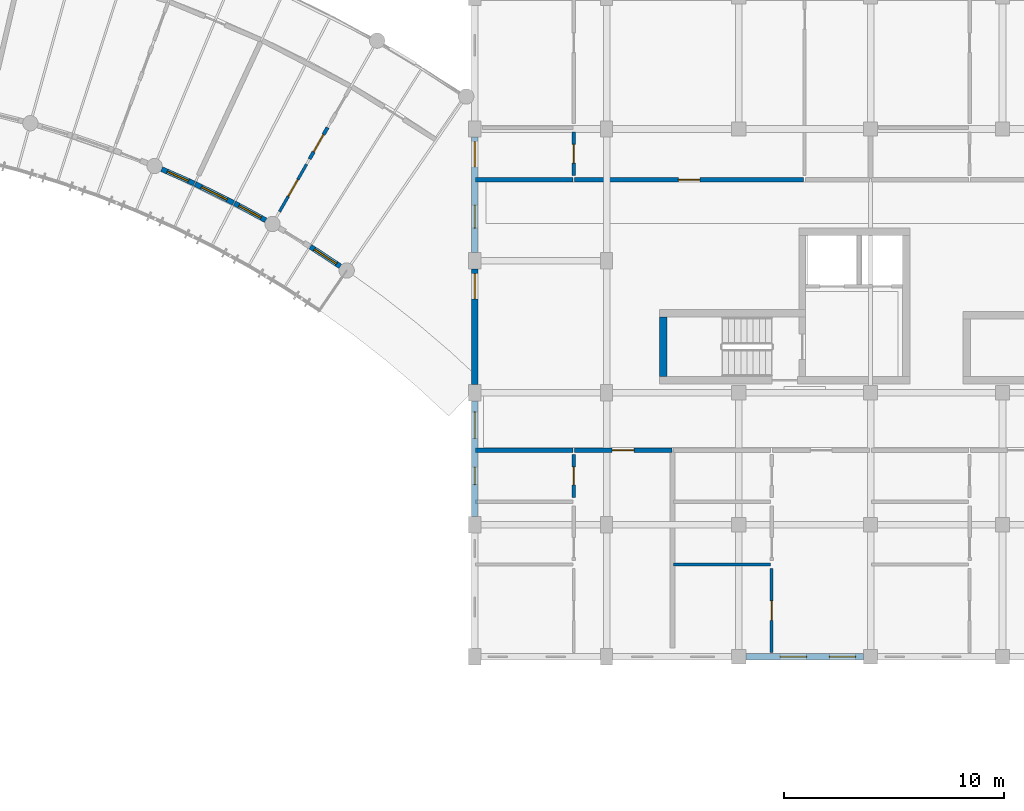
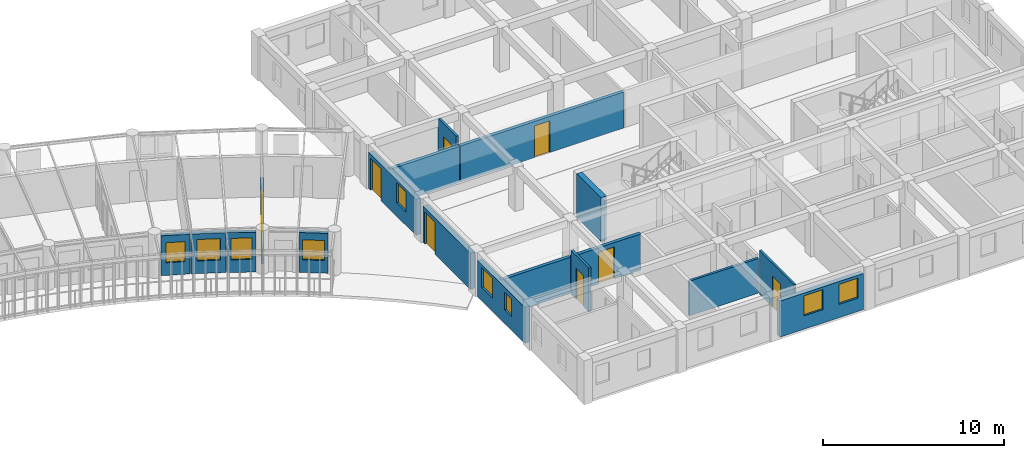
# One storey, part 97 of 123: 19 walls, 9 doors, 9 windows, 18 openings.
"""IFC4 building model written with IfcOpenShell, lengths in metres."""

from ifc_helpers import new_model, si_unit, direction, frame, frame_2d, origin, place, context, subcontext, project, spatial, rectangle, extrude, material, layer, layer_set, type_object, element, fill, save


model = new_model("IFC4")

# Units and contexts
model_context = context("Model", 3, precision=1e-05, world=origin(), true_north=direction((0.0, 1.0)))
body_context = subcontext(model_context, "Body", "Model", "MODEL_VIEW")
ifc_project = project(units=[si_unit("LENGTHUNIT", "METRE"), si_unit("AREAUNIT", "SQUARE_METRE"), si_unit("VOLUMEUNIT", "CUBIC_METRE"), si_unit("PLANEANGLEUNIT", "RADIAN"), si_unit("MASSUNIT", "GRAM", prefix="KILO"), si_unit("POWERUNIT", "WATT"), si_unit("THERMODYNAMICTEMPERATUREUNIT", "KELVIN")], contexts=[model_context])

# Site, building, storey
site_placement = place(None, origin())
site = spatial("IfcSite", under=ifc_project, at=site_placement, CompositionType="ELEMENT")
building_placement = place(site_placement, origin())
building = spatial("IfcBuilding", under=site, at=building_placement, Name="Ruvembo Vaulted Housing Court", CompositionType="ELEMENT")
storey_placement = place(building_placement, frame((0.0, 0.0, 7.699951171875)))
storey = spatial("IfcBuildingStorey", under=building, at=storey_placement, Name="L02", CompositionType="ELEMENT", Elevation=7.699951171875)

# Walls
ifc_material_1 = material(Name="Concrete C35/45", Category="concrete")
ifc_layer_1 = layer(ifc_material_1, 0.35009765625, Name="Concrete C35/45")
ifc_layer_set_1 = layer_set([ifc_layer_1], Name="Concrete C35/45")
wall_type_1 = type_object("IfcWallType", Name="WL-CORE-350", PredefinedType="SHEAR", material=ifc_layer_set_1)
wall_1_placement = place(storey_placement, frame((158.574951171875, 87.449951171875, 0.0), z_axis=(0.0, 0.0, 1.0), x_axis=(0.0, -1.0, 0.0)))
element("IfcWall", 1, at=wall_1_placement, inside=storey, type_object=wall_type_1, Name="Core D1 L02 Stair West Shear Wall", PredefinedType="SHEAR", context=body_context, shape_type="SweptSolid", body=[
    extrude(rectangle(XDim=2.699951171875, YDim=0.35009765625, at=frame_2d((1.35009765625, 0.0))), origin(), (0.0, 0.0, 1.0), 2.955078125),
])
ifc_material_2 = material(Name="Concrete Blockwork 210", Category="masonry")
ifc_layer_2 = layer(ifc_material_2, 0.2099609375, Name="Concrete Blockwork 210")
ifc_layer_set_2 = layer_set([ifc_layer_2], Name="Concrete Blockwork 210")
wall_type_2 = type_object("IfcWallType", Name="WL-CORR-210", PredefinedType="SOLIDWALL", material=ifc_layer_set_2)
wall_2_placement = place(storey_placement, frame((150.0400390625, 81.39990234375, 0.0), z_axis=(0.0, 0.0, 1.0), x_axis=(1.0, 0.0, 0.0)))
element("IfcWall", 2, at=wall_2_placement, inside=storey, type_object=wall_type_2, Name="L02 Flat D-L02-S1 Corridor Wall WL-INT-L02-00633", PredefinedType="SOLIDWALL", context=body_context, shape_type="SweptSolid", body=[
    extrude(rectangle(XDim=4.419921875, YDim=0.2099609375, at=frame_2d((2.2099609375, 0.0))), origin(), (0.0, 0.0, 1.0), 2.43701171875),
])

# Wall, opening, door
wall_3_placement = place(storey_placement, frame((154.5400390625, 81.39990234375, 0.0), z_axis=(0.0, 0.0, 1.0), x_axis=(1.0, 0.0, 0.0)))
wall_3 = element("IfcWall", 3, at=wall_3_placement, inside=storey, type_object=wall_type_2, Name="L02 Flat D-L02-S1 Entrance WL-INT-L02-00634", PredefinedType="SOLIDWALL", context=body_context, shape_type="SweptSolid", body=[
    extrude(rectangle(XDim=4.419921875, YDim=0.2099609375, at=frame_2d((2.2099609375, 0.0))), origin(), (0.0, 0.0, 1.0), 2.43701171875),
])
opening_1_placement = place(wall_3_placement, frame((1.7099609375, 0.0, 0.0)))
opening_1 = element("IfcOpeningElement", 4, at=opening_1_placement, cuts=wall_3, Name="Opening FD1", PredefinedType="OPENING", context=body_context, shape_type="SweptSolid", body=[
    extrude(rectangle(XDim=1.0, YDim=2.14990234375, at=frame_2d((0.5, 1.074951171875))), frame((0.0, 0.114990234375, 0.0), z_axis=(0.0, -1.0, 0.0), x_axis=(1.0, 0.0, 0.0)), (0.0, 0.0, 1.0), 0.22998046875),
])
ifc_material_3 = material(Name="FSC Hardwood and Engineered Timber", Category="wood")
door_type_1 = type_object("IfcDoorType", Name="DR-FLAT-1000x2150", OperationType="NOTDEFINED", PredefinedType="DOOR", material=ifc_material_3)
door_1_placement = place(opening_1_placement, origin())
door_1 = element("IfcDoor", 5, at=door_1_placement, inside=storey, type_object=door_type_1, Name="L02 Flat D-L02-S1 Entrance Door DR-INT-L02-00342", OperationType="SINGLE_SWING_RIGHT", OverallHeight=2.14990234375, OverallWidth=1.0, PredefinedType="DOOR", context=body_context, shape_type="SweptSolid", body=[
    extrude(rectangle(XDim=1.0, YDim=2.14990234375, at=frame_2d((0.5, 1.074951171875))), frame((0.0, 0.02490234375, 0.0), z_axis=(0.0, -1.0, 0.0), x_axis=(1.0, 0.0, 0.0)), (0.0, 0.0, 1.0), 0.050048828125),
])
fill(opening_1, door_1)

# Wall
wall_4_placement = place(storey_placement, frame((150.0400390625, 93.699951171875, 0.0), z_axis=(0.0, 0.0, 1.0), x_axis=(1.0, 0.0, 0.0)))
element("IfcWall", 6, at=wall_4_placement, inside=storey, type_object=wall_type_2, Name="L02 Flat D-L02-N1 Corridor Wall WL-INT-L02-00664", PredefinedType="SOLIDWALL", context=body_context, shape_type="SweptSolid", body=[
    extrude(rectangle(XDim=4.419921875, YDim=0.2099609375, at=frame_2d((2.2099609375, 0.0))), origin(), (0.0, 0.0, 1.0), 2.43701171875),
])

# Wall, opening, door
wall_5_placement = place(storey_placement, frame((154.5400390625, 93.699951171875, 0.0), z_axis=(0.0, 0.0, 1.0), x_axis=(1.0, 0.0, 0.0)))
wall_5 = element("IfcWall", 7, at=wall_5_placement, inside=storey, type_object=wall_type_2, Name="L02 Flat D-L02-N1 Entrance WL-INT-L02-00665", PredefinedType="SOLIDWALL", context=body_context, shape_type="SweptSolid", body=[
    extrude(rectangle(XDim=10.419921875, YDim=0.2099609375, at=frame_2d((5.2099609375, 0.0))), origin(), (0.0, 0.0, 1.0), 2.43701171875),
])
opening_2_placement = place(wall_5_placement, frame((4.719970703125, 0.0, 0.0)))
opening_2 = element("IfcOpeningElement", 8, at=opening_2_placement, cuts=wall_5, Name="Opening FD2", PredefinedType="OPENING", context=body_context, shape_type="SweptSolid", body=[
    extrude(rectangle(XDim=0.97998046875, YDim=2.14990234375, at=frame_2d((0.489990234375, 1.074951171875))), frame((0.0, 0.114990234375, 0.0), z_axis=(0.0, -1.0, 0.0), x_axis=(1.0, 0.0, 0.0)), (0.0, 0.0, 1.0), 0.22998046875),
])
door_type_2 = type_object("IfcDoorType", Name="DR-FLAT-0980x2150", OperationType="NOTDEFINED", PredefinedType="DOOR", material=ifc_material_3)
door_2_placement = place(opening_2_placement, origin())
door_2 = element("IfcDoor", 9, at=door_2_placement, inside=storey, type_object=door_type_2, Name="L02 Flat D-L02-N1 Entrance Door DR-INT-L02-00358", OperationType="SINGLE_SWING_RIGHT", OverallHeight=2.14990234375, OverallWidth=0.97998046875, PredefinedType="DOOR", context=body_context, shape_type="SweptSolid", body=[
    extrude(rectangle(XDim=0.97998046875, YDim=2.14990234375, at=frame_2d((0.489990234375, 1.074951171875))), frame((0.0, 0.02490234375, 0.0), z_axis=(0.0, -1.0, 0.0), x_axis=(1.0, 0.0, 0.0)), (0.0, 0.0, 1.0), 0.050048828125),
])
fill(opening_2, door_2)

# Wall, opening, window
ifc_material_4 = material(Name="Rendered Masonry 235", Category="masonry")
ifc_layer_3 = layer(ifc_material_4, 0.235107421875, Name="Rendered Masonry 235")
ifc_layer_set_3 = layer_set([ifc_layer_3], Name="Rendered Masonry 235")
wall_type_3 = type_object("IfcWallType", Name="WL-EXT-235", PredefinedType="STANDARD", material=ifc_layer_set_3)
wall_6_placement = place(storey_placement, frame((135.76220703125, 94.1748046875, 0.0), z_axis=(0.0, 0.0, 1.0), x_axis=(0.915073009016, -0.403288219727, 0.0)))
wall_6 = element("IfcWall", 10, at=wall_6_placement, inside=storey, type_object=wall_type_3, Name="Scoop SC3 L02 Concave Balcony Wall 24", PredefinedType="STANDARD", context=body_context, shape_type="SweptSolid", body=[
    extrude(rectangle(XDim=1.622314453125, YDim=0.235107421875, at=frame_2d((0.81103515625, 0.0))), origin(), (0.0, 0.0, 1.0), 2.68408203125),
])
opening_3_placement = place(wall_6_placement, frame((0.2861328125, 0.0, 0.85009765625)))
opening_3 = element("IfcOpeningElement", 11, at=opening_3_placement, cuts=wall_6, Name="Opening W09", PredefinedType="OPENING", context=body_context, shape_type="SweptSolid", body=[
    extrude(rectangle(XDim=1.050048828125, YDim=1.35009765625, at=frame_2d((0.52490234375, 0.675048828125))), frame((0.0, 0.12744140625, 0.0), z_axis=(0.0, -1.0, 0.0), x_axis=(1.0, 0.0, 0.0)), (0.0, 0.0, 1.0), 0.255126953125),
])
ifc_material_5 = material(Name="Double Solar-Control Glazing in Aluminium Frame", Category="aluminium")
window_type_1 = type_object("IfcWindowType", Name="WIN-1050x1350", PartitioningType="SINGLE_PANEL", PredefinedType="WINDOW", material=ifc_material_5)
window_1_placement = place(opening_3_placement, origin())
window_1 = element("IfcWindow", 12, at=window_1_placement, inside=storey, type_object=window_type_1, Name="Scoop SC3 L02 Concave Window 24", OverallHeight=1.35009765625, OverallWidth=1.050048828125, PartitioningType="SINGLE_PANEL", PredefinedType="WINDOW", context=body_context, shape_type="SweptSolid", body=[
    extrude(rectangle(XDim=1.050048828125, YDim=1.35009765625, at=frame_2d((0.52490234375, 0.675048828125))), frame((0.0, 0.030029296875, 0.0), z_axis=(0.0, -1.0, 0.0), x_axis=(1.0, 0.0, 0.0)), (0.0, 0.0, 1.0), 0.06005859375),
])
fill(opening_3, window_1)

wall_7_placement = place(storey_placement, frame((137.283203125, 93.50341796875, 0.0), z_axis=(0.0, 0.0, 1.0), x_axis=(0.897531751182, -0.44094983345, 0.0)))
wall_7 = element("IfcWall", 13, at=wall_7_placement, inside=storey, type_object=wall_type_3, Name="Scoop SC3 L02 Concave Balcony Wall 25", PredefinedType="STANDARD", context=body_context, shape_type="SweptSolid", body=[
    extrude(rectangle(XDim=1.9521484375, YDim=0.235107421875, at=frame_2d((0.97607421875, 0.0))), origin(), (0.0, 0.0, 1.0), 2.68408203125),
])
opening_4_placement = place(wall_7_placement, frame((0.326171875, 0.0, 0.85009765625)))
opening_4 = element("IfcOpeningElement", 14, at=opening_4_placement, cuts=wall_7, Name="Opening W15", PredefinedType="OPENING", context=body_context, shape_type="SweptSolid", body=[
    extrude(rectangle(XDim=1.300048828125, YDim=1.449951171875, at=frame_2d((0.64990234375, 0.72509765625))), frame((0.0, 0.12744140625, 0.0), z_axis=(0.0, -1.0, 0.0), x_axis=(1.0, 0.0, 0.0)), (0.0, 0.0, 1.0), 0.255126953125),
])
window_type_2 = type_object("IfcWindowType", Name="WIN-1300x1450", PartitioningType="SINGLE_PANEL", PredefinedType="WINDOW", material=ifc_material_5)
window_2_placement = place(opening_4_placement, origin())
window_2 = element("IfcWindow", 15, at=window_2_placement, inside=storey, type_object=window_type_2, Name="Scoop SC3 L02 Concave Window 25", OverallHeight=1.449951171875, OverallWidth=1.300048828125, PartitioningType="SINGLE_PANEL", PredefinedType="WINDOW", context=body_context, shape_type="SweptSolid", body=[
    extrude(rectangle(XDim=1.300048828125, YDim=1.449951171875, at=frame_2d((0.64990234375, 0.72509765625))), frame((0.0, 0.030029296875, 0.0), z_axis=(0.0, -1.0, 0.0), x_axis=(1.0, 0.0, 0.0)), (0.0, 0.0, 1.0), 0.06005859375),
])
fill(opening_4, window_2)

wall_8_placement = place(storey_placement, frame((139.071044921875, 92.624267578125, 0.0), z_axis=(0.0, 0.0, 1.0), x_axis=(0.878452871629, -0.477828999044, 0.0)))
wall_8 = element("IfcWall", 16, at=wall_8_placement, inside=storey, type_object=wall_type_3, Name="Scoop SC3 L02 Concave Balcony Wall 26", PredefinedType="STANDARD", context=body_context, shape_type="SweptSolid", body=[
    extrude(rectangle(XDim=1.622314453125, YDim=0.235107421875, at=frame_2d((0.81103515625, 0.0))), origin(), (0.0, 0.0, 1.0), 2.68408203125),
])
opening_5_placement = place(wall_8_placement, frame((0.236083984375, 0.0, 0.85009765625)))
opening_5 = element("IfcOpeningElement", 17, at=opening_5_placement, cuts=wall_8, Name="Opening W11", PredefinedType="OPENING", context=body_context, shape_type="SweptSolid", body=[
    extrude(rectangle(XDim=1.14990234375, YDim=1.449951171875, at=frame_2d((0.574951171875, 0.72509765625))), frame((0.0, 0.12744140625, 0.0), z_axis=(0.0, -1.0, 0.0), x_axis=(1.0, 0.0, 0.0)), (0.0, 0.0, 1.0), 0.255126953125),
])
window_type_3 = type_object("IfcWindowType", Name="WIN-1150x1450", PartitioningType="SINGLE_PANEL", PredefinedType="WINDOW", material=ifc_material_5)
window_3_placement = place(opening_5_placement, origin())
window_3 = element("IfcWindow", 18, at=window_3_placement, inside=storey, type_object=window_type_3, Name="Scoop SC3 L02 Concave Window 26", OverallHeight=1.449951171875, OverallWidth=1.14990234375, PartitioningType="SINGLE_PANEL", PredefinedType="WINDOW", context=body_context, shape_type="SweptSolid", body=[
    extrude(rectangle(XDim=1.14990234375, YDim=1.449951171875, at=frame_2d((0.574951171875, 0.72509765625))), frame((0.0, 0.030029296875, 0.0), z_axis=(0.0, -1.0, 0.0), x_axis=(1.0, 0.0, 0.0)), (0.0, 0.0, 1.0), 0.06005859375),
])
fill(opening_5, window_3)

wall_9_placement = place(storey_placement, frame((142.529541015625, 90.647216796875, 0.0), z_axis=(0.0, 0.0, 1.0), x_axis=(0.835873156341, -0.548922641644, 0.0)))
wall_9 = element("IfcWall", 19, at=wall_9_placement, inside=storey, type_object=wall_type_3, Name="Scoop SC3 L02 Concave Balcony Wall 28", PredefinedType="STANDARD", context=body_context, shape_type="SweptSolid", body=[
    extrude(rectangle(XDim=1.62255859375, YDim=0.235107421875, at=frame_2d((0.811279296875, 0.0))), origin(), (0.0, 0.0, 1.0), 2.68408203125),
])
opening_6_placement = place(wall_9_placement, frame((0.211181640625, 0.0, 0.85009765625)))
opening_6 = element("IfcOpeningElement", 20, at=opening_6_placement, cuts=wall_9, Name="Opening W12", PredefinedType="OPENING", context=body_context, shape_type="SweptSolid", body=[
    extrude(rectangle(XDim=1.199951171875, YDim=1.35009765625, at=frame_2d((0.60009765625, 0.675048828125))), frame((0.0, 0.12744140625, 0.0), z_axis=(0.0, -1.0, 0.0), x_axis=(1.0, 0.0, 0.0)), (0.0, 0.0, 1.0), 0.255126953125),
])
window_type_4 = type_object("IfcWindowType", Name="WIN-1200x1350", PartitioningType="SINGLE_PANEL", PredefinedType="WINDOW", material=ifc_material_5)
window_4_placement = place(opening_6_placement, origin())
window_4 = element("IfcWindow", 21, at=window_4_placement, inside=storey, type_object=window_type_4, Name="Scoop SC3 L02 Concave Window 28", OverallHeight=1.35009765625, OverallWidth=1.199951171875, PartitioningType="SINGLE_PANEL", PredefinedType="WINDOW", context=body_context, shape_type="SweptSolid", body=[
    extrude(rectangle(XDim=1.199951171875, YDim=1.35009765625, at=frame_2d((0.60009765625, 0.675048828125))), frame((0.0, 0.030029296875, 0.0), z_axis=(0.0, -1.0, 0.0), x_axis=(1.0, 0.0, 0.0)), (0.0, 0.0, 1.0), 0.06005859375),
])
fill(opening_6, window_4)

# Wall, openings, windows
ifc_material_6 = material(Name="Rendered Masonry 300", Category="masonry")
ifc_layer_4 = layer(ifc_material_6, 0.300048828125, Name="Rendered Masonry 300")
ifc_layer_set_4 = layer_set([ifc_layer_4], Name="Rendered Masonry 300")
wall_type_4 = type_object("IfcWallType", Name="WL-EXT-300", PredefinedType="STANDARD", material=ifc_layer_set_4)
wall_10_placement = place(storey_placement, frame((162.324951171875, 72.0, 0.0), z_axis=(0.0, 0.0, 1.0), x_axis=(1.0, 0.0, 0.0)))
wall_10 = element("IfcWall", 22, at=wall_10_placement, inside=storey, type_object=wall_type_4, Name="Block D L02 Exterior Wall COURTYARD #3", PredefinedType="STANDARD", context=body_context, shape_type="SweptSolid", body=[
    extrude(rectangle(XDim=5.35009765625, YDim=0.300048828125, at=frame_2d((2.675048828125, 0.0))), origin(), (0.0, 0.0, 1.0), 2.43701171875),
])
opening_7_placement = place(wall_10_placement, frame((1.56494140625, 0.0, 0.89990234375)))
opening_7 = element("IfcOpeningElement", 23, at=opening_7_placement, cuts=wall_10, Name="Opening W12", PredefinedType="OPENING", context=body_context, shape_type="SweptSolid", body=[
    extrude(rectangle(XDim=1.199951171875, YDim=1.35009765625, at=frame_2d((0.60009765625, 0.675048828125))), frame((0.0, 0.159912109375, 0.0), z_axis=(0.0, -1.0, 0.0), x_axis=(1.0, 0.0, 0.0)), (0.0, 0.0, 1.0), 0.320068359375),
])
opening_8_placement = place(wall_10_placement, frame((3.800048828125, 0.0, 0.89990234375)))
opening_8 = element("IfcOpeningElement", 24, at=opening_8_placement, cuts=wall_10, Name="Opening W12", PredefinedType="OPENING", context=body_context, shape_type="SweptSolid", body=[
    extrude(rectangle(XDim=1.199951171875, YDim=1.35009765625, at=frame_2d((0.60009765625, 0.675048828125))), frame((0.0, 0.159912109375, 0.0), z_axis=(0.0, -1.0, 0.0), x_axis=(1.0, 0.0, 0.0)), (0.0, 0.0, 1.0), 0.320068359375),
])
window_5_placement = place(opening_7_placement, origin())
window_5 = element("IfcWindow", 25, at=window_5_placement, inside=storey, type_object=window_type_4, Name="Block D L02 Window #1535", OverallHeight=1.35009765625, OverallWidth=1.199951171875, PartitioningType="SINGLE_PANEL", PredefinedType="WINDOW", context=body_context, shape_type="SweptSolid", body=[
    extrude(rectangle(XDim=1.199951171875, YDim=1.35009765625, at=frame_2d((0.60009765625, 0.675048828125))), frame((0.0, 0.030029296875, 0.0), z_axis=(0.0, -1.0, 0.0), x_axis=(1.0, 0.0, 0.0)), (0.0, 0.0, 1.0), 0.06005859375),
])
fill(opening_7, window_5)
window_6_placement = place(opening_8_placement, origin())
window_6 = element("IfcWindow", 26, at=window_6_placement, inside=storey, type_object=window_type_4, Name="Block D L02 Window #1536", OverallHeight=1.35009765625, OverallWidth=1.199951171875, PartitioningType="SINGLE_PANEL", PredefinedType="WINDOW", context=body_context, shape_type="SweptSolid", body=[
    extrude(rectangle(XDim=1.199951171875, YDim=1.35009765625, at=frame_2d((0.60009765625, 0.675048828125))), frame((0.0, 0.030029296875, 0.0), z_axis=(0.0, -1.0, 0.0), x_axis=(1.0, 0.0, 0.0)), (0.0, 0.0, 1.0), 0.06005859375),
])
fill(opening_8, window_6)

# Wall, openings, door, window
wall_11_placement = place(storey_placement, frame((150.0, 95.625, 0.0), z_axis=(0.0, 0.0, 1.0), x_axis=(0.0, -1.0, 0.0)))
wall_11 = element("IfcWall", 27, at=wall_11_placement, inside=storey, type_object=wall_type_4, Name="Block D L02 Exterior Wall WEST #3", PredefinedType="STANDARD", context=body_context, shape_type="SweptSolid", body=[
    extrude(rectangle(XDim=5.25, YDim=0.300048828125, at=frame_2d((2.625, 0.0))), origin(), (0.0, 0.0, 1.0), 2.43701171875),
])
opening_9_placement = place(wall_11_placement, frame((0.199951171875, 0.0, 0.0)))
opening_9 = element("IfcOpeningElement", 28, at=opening_9_placement, cuts=wall_11, Name="Opening GD1", PredefinedType="OPENING", context=body_context, shape_type="SweptSolid", body=[
    extrude(rectangle(XDim=1.14990234375, YDim=2.14990234375, at=frame_2d((0.574951171875, 1.074951171875))), frame((0.0, 0.159912109375, 0.0), z_axis=(0.0, -1.0, 0.0), x_axis=(1.0, 0.0, 0.0)), (0.0, 0.0, 1.0), 0.320068359375),
])
opening_10_placement = place(wall_11_placement, frame((3.08251953125, 0.0, 0.89990234375)))
opening_10 = element("IfcOpeningElement", 29, at=opening_10_placement, cuts=wall_11, Name="Opening W09", PredefinedType="OPENING", context=body_context, shape_type="SweptSolid", body=[
    extrude(rectangle(XDim=1.050048828125, YDim=1.35009765625, at=frame_2d((0.52490234375, 0.675048828125))), frame((0.0, 0.159912109375, 0.0), z_axis=(0.0, -1.0, 0.0), x_axis=(1.0, 0.0, 0.0)), (0.0, 0.0, 1.0), 0.320068359375),
])
ifc_material_7 = material(Name="Thermally Broken Glazed Aluminium", Category="aluminium")
door_type_3 = type_object("IfcDoorType", Name="DR-GAL-1150x2150", OperationType="NOTDEFINED", PredefinedType="DOOR", material=ifc_material_7)
door_3_placement = place(opening_9_placement, frame((1.14990234375, 0.0, 0.0), z_axis=(0.0, 0.0, 1.0), x_axis=(-1.0, 0.0, 0.0)))
door_3 = element("IfcDoor", 30, at=door_3_placement, inside=storey, type_object=door_type_3, Name="Block D L02 Terrace or Gallery Door DR-TER-D-L02-070", OperationType="SINGLE_SWING_LEFT", OverallHeight=2.14990234375, OverallWidth=1.14990234375, PredefinedType="DOOR", context=body_context, shape_type="SweptSolid", body=[
    extrude(rectangle(XDim=1.14990234375, YDim=2.14990234375, at=frame_2d((0.574951171875, 1.074951171875))), frame((0.0, 0.02490234375, 0.0), z_axis=(0.0, -1.0, 0.0), x_axis=(1.0, 0.0, 0.0)), (0.0, 0.0, 1.0), 0.050048828125),
])
fill(opening_9, door_3)
window_7_placement = place(opening_10_placement, origin())
window_7 = element("IfcWindow", 31, at=window_7_placement, inside=storey, type_object=window_type_1, Name="Block D L02 Window #1570", OverallHeight=1.35009765625, OverallWidth=1.050048828125, PartitioningType="SINGLE_PANEL", PredefinedType="WINDOW", context=body_context, shape_type="SweptSolid", body=[
    extrude(rectangle(XDim=1.050048828125, YDim=1.35009765625, at=frame_2d((0.52490234375, 0.675048828125))), frame((0.0, 0.030029296875, 0.0), z_axis=(0.0, -1.0, 0.0), x_axis=(1.0, 0.0, 0.0)), (0.0, 0.0, 1.0), 0.06005859375),
])
fill(opening_10, window_7)

# Wall, opening, door
wall_12_placement = place(storey_placement, frame((150.0, 89.625, 0.0), z_axis=(0.0, 0.0, 1.0), x_axis=(0.0, -1.0, 0.0)))
wall_12 = element("IfcWall", 32, at=wall_12_placement, inside=storey, type_object=wall_type_4, Name="Block D L02 Exterior Wall WEST #4", PredefinedType="STANDARD", context=body_context, shape_type="SweptSolid", body=[
    extrude(rectangle(XDim=5.25, YDim=0.300048828125, at=frame_2d((2.625, 0.0))), origin(), (0.0, 0.0, 1.0), 2.43701171875),
])
opening_11_placement = place(wall_12_placement, frame((0.199951171875, 0.0, 0.0)))
opening_11 = element("IfcOpeningElement", 33, at=opening_11_placement, cuts=wall_12, Name="Opening GD1", PredefinedType="OPENING", context=body_context, shape_type="SweptSolid", body=[
    extrude(rectangle(XDim=1.14990234375, YDim=2.14990234375, at=frame_2d((0.574951171875, 1.074951171875))), frame((0.0, 0.159912109375, 0.0), z_axis=(0.0, -1.0, 0.0), x_axis=(1.0, 0.0, 0.0)), (0.0, 0.0, 1.0), 0.320068359375),
])
door_4_placement = place(opening_11_placement, frame((1.14990234375, 0.0, 0.0), z_axis=(0.0, 0.0, 1.0), x_axis=(-1.0, 0.0, 0.0)))
door_4 = element("IfcDoor", 34, at=door_4_placement, inside=storey, type_object=door_type_3, Name="Block D L02 Terrace or Gallery Door DR-TER-D-L02-071", OperationType="SINGLE_SWING_RIGHT", OverallHeight=2.14990234375, OverallWidth=1.14990234375, PredefinedType="DOOR", context=body_context, shape_type="SweptSolid", body=[
    extrude(rectangle(XDim=1.14990234375, YDim=2.14990234375, at=frame_2d((0.574951171875, 1.074951171875))), frame((0.0, 0.02490234375, 0.0), z_axis=(0.0, -1.0, 0.0), x_axis=(1.0, 0.0, 0.0)), (0.0, 0.0, 1.0), 0.050048828125),
])
fill(opening_11, door_4)

# Wall, openings, windows
wall_13_placement = place(storey_placement, frame((150.0, 83.625, 0.0), z_axis=(0.0, 0.0, 1.0), x_axis=(0.0, -1.0, 0.0)))
wall_13 = element("IfcWall", 35, at=wall_13_placement, inside=storey, type_object=wall_type_4, Name="Block D L02 Exterior Wall WEST #5", PredefinedType="STANDARD", context=body_context, shape_type="SweptSolid", body=[
    extrude(rectangle(XDim=5.25, YDim=0.300048828125, at=frame_2d((2.625, 0.0))), origin(), (0.0, 0.0, 1.0), 2.43701171875),
])
opening_12_placement = place(wall_13_placement, frame((0.492431640625, 0.0, 0.89990234375)))
opening_12 = element("IfcOpeningElement", 36, at=opening_12_placement, cuts=wall_13, Name="Opening W12", PredefinedType="OPENING", context=body_context, shape_type="SweptSolid", body=[
    extrude(rectangle(XDim=1.199951171875, YDim=1.35009765625, at=frame_2d((0.60009765625, 0.675048828125))), frame((0.0, 0.159912109375, 0.0), z_axis=(0.0, -1.0, 0.0), x_axis=(1.0, 0.0, 0.0)), (0.0, 0.0, 1.0), 0.320068359375),
])
opening_13_placement = place(wall_13_placement, frame((3.0, 0.0, 0.89990234375)))
opening_13 = element("IfcOpeningElement", 37, at=opening_13_placement, cuts=wall_13, Name="Opening W02", PredefinedType="OPENING", context=body_context, shape_type="SweptSolid", body=[
    extrude(rectangle(XDim=0.800048828125, YDim=1.199951171875, at=frame_2d((0.39990234375, 0.60009765625))), frame((0.0, 0.159912109375, 0.0), z_axis=(0.0, -1.0, 0.0), x_axis=(1.0, 0.0, 0.0)), (0.0, 0.0, 1.0), 0.320068359375),
])
window_type_5 = type_object("IfcWindowType", Name="WIN-0800x1200", PartitioningType="SINGLE_PANEL", PredefinedType="WINDOW", material=ifc_material_5)
window_8_placement = place(opening_13_placement, origin())
window_8 = element("IfcWindow", 38, at=window_8_placement, inside=storey, type_object=window_type_5, Name="Block D L02 Window #1572", OverallHeight=1.199951171875, OverallWidth=0.800048828125, PartitioningType="SINGLE_PANEL", PredefinedType="WINDOW", context=body_context, shape_type="SweptSolid", body=[
    extrude(rectangle(XDim=0.800048828125, YDim=1.199951171875, at=frame_2d((0.39990234375, 0.60009765625))), frame((0.0, 0.030029296875, 0.0), z_axis=(0.0, -1.0, 0.0), x_axis=(1.0, 0.0, 0.0)), (0.0, 0.0, 1.0), 0.06005859375),
])
fill(opening_13, window_8)
window_9_placement = place(opening_12_placement, origin())
window_9 = element("IfcWindow", 39, at=window_9_placement, inside=storey, type_object=window_type_4, Name="Block D L02 Window #1571", OverallHeight=1.35009765625, OverallWidth=1.199951171875, PartitioningType="SINGLE_PANEL", PredefinedType="WINDOW", context=body_context, shape_type="SweptSolid", body=[
    extrude(rectangle(XDim=1.199951171875, YDim=1.35009765625, at=frame_2d((0.60009765625, 0.675048828125))), frame((0.0, 0.030029296875, 0.0), z_axis=(0.0, -1.0, 0.0), x_axis=(1.0, 0.0, 0.0)), (0.0, 0.0, 1.0), 0.06005859375),
])
fill(opening_12, window_9)

# Wall, opening, door
ifc_material_8 = material(Name="Plasterboard Stud Partition 125", Category="gypsum")
ifc_layer_5 = layer(ifc_material_8, 0.125, Name="Plasterboard Stud Partition 125")
ifc_layer_set_5 = layer_set([ifc_layer_5], Name="Plasterboard Stud Partition 125")
wall_type_5 = type_object("IfcWallType", Name="WL-PART-125", PredefinedType="PARTITIONING", material=ifc_layer_set_5)
wall_14_placement = place(storey_placement, frame((163.5, 72.18994140625, 0.0), z_axis=(0.0, 0.0, 1.0), x_axis=(0.0, 1.0, 0.0)))
wall_14 = element("IfcWall", 40, at=wall_14_placement, inside=storey, type_object=wall_type_5, Name="L02 Flat D-L02-S2 Bedroom 1 WL-INT-L02-00643", PredefinedType="PARTITIONING", context=body_context, shape_type="SweptSolid", body=[
    extrude(rectangle(XDim=3.820068359375, YDim=0.125, at=frame_2d((1.91015625, 0.0))), origin(), (0.0, 0.0, 1.0), 2.955078125),
])
opening_14_placement = place(wall_14_placement, frame((1.469970703125, 0.0, 0.0)))
opening_14 = element("IfcOpeningElement", 41, at=opening_14_placement, cuts=wall_14, Name="Opening ID3", PredefinedType="OPENING", context=body_context, shape_type="SweptSolid", body=[
    extrude(rectangle(XDim=0.8798828125, YDim=2.10009765625, at=frame_2d((0.43994140625, 1.050048828125))), frame((0.0, 0.072509765625, 0.0), z_axis=(0.0, -1.0, 0.0), x_axis=(1.0, 0.0, 0.0)), (0.0, 0.0, 1.0), 0.14501953125),
])
door_type_4 = type_object("IfcDoorType", Name="DR-ROOM-0880x2100", OperationType="NOTDEFINED", PredefinedType="DOOR", material=ifc_material_3)
door_5_placement = place(opening_14_placement, origin())
door_5 = element("IfcDoor", 42, at=door_5_placement, inside=storey, type_object=door_type_4, Name="L02 Flat D-L02-S2 Bedroom 1 Door DR-INT-L02-00347", OperationType="SINGLE_SWING_LEFT", OverallHeight=2.10009765625, OverallWidth=0.8798828125, PredefinedType="DOOR", context=body_context, shape_type="SweptSolid", body=[
    extrude(rectangle(XDim=0.8798828125, YDim=2.10009765625, at=frame_2d((0.43994140625, 1.050048828125))), frame((0.0, 0.02490234375, 0.0), z_axis=(0.0, -1.0, 0.0), x_axis=(1.0, 0.0, 0.0)), (0.0, 0.0, 1.0), 0.050048828125),
])
fill(opening_14, door_5)

wall_15_placement = place(storey_placement, frame((141.125, 92.24462890625, 0.0), z_axis=(0.0, 0.0, 1.0), x_axis=(0.49594810138, 0.868352164008, 0.0)))
wall_15 = element("IfcWall", 43, at=wall_15_placement, inside=storey, type_object=wall_type_5, Name="L02 Suite SC3-L02-U6 Bedroom WL-INT-L02-00772", PredefinedType="PARTITIONING", context=body_context, shape_type="SweptSolid", body=[
    extrude(rectangle(XDim=2.47998046875, YDim=0.125, at=frame_2d((1.239990234375, 0.0))), origin(), (0.0, 0.0, 1.0), 2.741943359375),
])
opening_15_placement = place(wall_15_placement, frame((0.800048828125, 0.0, 0.0)))
opening_15 = element("IfcOpeningElement", 44, at=opening_15_placement, cuts=wall_15, Name="Opening ID3", PredefinedType="OPENING", context=body_context, shape_type="SweptSolid", body=[
    extrude(rectangle(XDim=0.8798828125, YDim=2.10009765625, at=frame_2d((0.43994140625, 1.050048828125))), frame((0.0, 0.072509765625, 0.0), z_axis=(0.0, -1.0, 0.0), x_axis=(1.0, 0.0, 0.0)), (0.0, 0.0, 1.0), 0.14501953125),
])
door_6_placement = place(opening_15_placement, origin())
door_6 = element("IfcDoor", 45, at=door_6_placement, inside=storey, type_object=door_type_4, Name="L02 Suite SC3-L02-U6 Bedroom Door DR-INT-L02-00429", OperationType="SINGLE_SWING_LEFT", OverallHeight=2.10009765625, OverallWidth=0.8798828125, PredefinedType="DOOR", context=body_context, shape_type="SweptSolid", body=[
    extrude(rectangle(XDim=0.8798828125, YDim=2.10009765625, at=frame_2d((0.43994140625, 1.050048828125))), frame((0.0, 0.02490234375, 0.0), z_axis=(0.0, -1.0, 0.0), x_axis=(1.0, 0.0, 0.0)), (0.0, 0.0, 1.0), 0.050048828125),
])
fill(opening_15, door_6)

ifc_material_9 = material(Name="Moisture-Resistant Wet Partition 150", Category="gypsum")
ifc_layer_6 = layer(ifc_material_9, 0.14990234375, Name="Moisture-Resistant Wet Partition 150")
ifc_layer_set_6 = layer_set([ifc_layer_6], Name="Moisture-Resistant Wet Partition 150")
wall_type_6 = type_object("IfcWallType", Name="WL-PART-150", PredefinedType="PARTITIONING", material=ifc_layer_set_6)
wall_16_placement = place(storey_placement, frame((154.5, 79.239990234375, 0.0), z_axis=(0.0, 0.0, 1.0), x_axis=(0.0, 1.0, 0.0)))
wall_16 = element("IfcWall", 46, at=wall_16_placement, inside=storey, type_object=wall_type_6, Name="L02 Flat D-L02-S1 Bathroom WL-INT-L02-00637", PredefinedType="PARTITIONING", context=body_context, shape_type="SweptSolid", body=[
    extrude(rectangle(XDim=1.969970703125, YDim=0.14990234375, at=frame_2d((0.98486328125, 0.0))), origin(), (0.0, 0.0, 1.0), 2.955078125),
])
opening_16_placement = place(wall_16_placement, frame((0.574951171875, 0.0, 0.0)))
opening_16 = element("IfcOpeningElement", 47, at=opening_16_placement, cuts=wall_16, Name="Opening ID4", PredefinedType="OPENING", context=body_context, shape_type="SweptSolid", body=[
    extrude(rectangle(XDim=0.820068359375, YDim=2.080078125, at=frame_2d((0.41015625, 1.0400390625))), frame((0.0, 0.0849609375, 0.0), z_axis=(0.0, -1.0, 0.0), x_axis=(1.0, 0.0, 0.0)), (0.0, 0.0, 1.0), 0.169921875),
])
door_type_5 = type_object("IfcDoorType", Name="DR-WET-0820x2080", OperationType="NOTDEFINED", PredefinedType="DOOR", material=ifc_material_3)
door_7_placement = place(opening_16_placement, origin())
door_7 = element("IfcDoor", 48, at=door_7_placement, inside=storey, type_object=door_type_5, Name="L02 Flat D-L02-S1 Bathroom Door DR-INT-L02-00345", OperationType="SINGLE_SWING_LEFT", OverallHeight=2.080078125, OverallWidth=0.820068359375, PredefinedType="DOOR", context=body_context, shape_type="SweptSolid", body=[
    extrude(rectangle(XDim=0.820068359375, YDim=2.080078125, at=frame_2d((0.41015625, 1.0400390625))), frame((0.0, 0.02490234375, 0.0), z_axis=(0.0, -1.0, 0.0), x_axis=(1.0, 0.0, 0.0)), (0.0, 0.0, 1.0), 0.050048828125),
])
fill(opening_16, door_7)

# Wall
wall_17_placement = place(storey_placement, frame((159.0400390625, 76.199951171875, 0.0), z_axis=(0.0, 0.0, 1.0), x_axis=(1.0, 0.0, 0.0)))
element("IfcWall", 49, at=wall_17_placement, inside=storey, type_object=wall_type_6, Name="L02 Flat D-L02-S2 Wet Wall 1 WL-INT-L02-00646", PredefinedType="PARTITIONING", context=body_context, shape_type="SweptSolid", body=[
    extrude(rectangle(XDim=4.419921875, YDim=0.14990234375, at=frame_2d((2.2099609375, 0.0))), origin(), (0.0, 0.0, 1.0), 2.337158203125),
])

# Wall, opening, door
wall_18_placement = place(storey_placement, frame((154.5, 93.889892578125, 0.0), z_axis=(0.0, 0.0, 1.0), x_axis=(0.0, 1.0, 0.0)))
wall_18 = element("IfcWall", 50, at=wall_18_placement, inside=storey, type_object=wall_type_6, Name="L02 Flat D-L02-N1 Bathroom WL-INT-L02-00668", PredefinedType="PARTITIONING", context=body_context, shape_type="SweptSolid", body=[
    extrude(rectangle(XDim=1.97021484375, YDim=0.14990234375, at=frame_2d((0.985107421875, 0.0))), origin(), (0.0, 0.0, 1.0), 2.955078125),
])
opening_17_placement = place(wall_18_placement, frame((0.56005859375, 0.0, 0.0)))
opening_17 = element("IfcOpeningElement", 51, at=opening_17_placement, cuts=wall_18, Name="Opening ID2", PredefinedType="OPENING", context=body_context, shape_type="SweptSolid", body=[
    extrude(rectangle(XDim=0.85009765625, YDim=2.10009765625, at=frame_2d((0.425048828125, 1.050048828125))), frame((0.0, 0.0849609375, 0.0), z_axis=(0.0, -1.0, 0.0), x_axis=(1.0, 0.0, 0.0)), (0.0, 0.0, 1.0), 0.169921875),
])
door_type_6 = type_object("IfcDoorType", Name="DR-WET-0850x2100", OperationType="NOTDEFINED", PredefinedType="DOOR", material=ifc_material_3)
door_8_placement = place(opening_17_placement, origin())
door_8 = element("IfcDoor", 52, at=door_8_placement, inside=storey, type_object=door_type_6, Name="L02 Flat D-L02-N1 Bathroom Door DR-INT-L02-00361", OperationType="SINGLE_SWING_LEFT", OverallHeight=2.10009765625, OverallWidth=0.85009765625, PredefinedType="DOOR", context=body_context, shape_type="SweptSolid", body=[
    extrude(rectangle(XDim=0.85009765625, YDim=2.10009765625, at=frame_2d((0.425048828125, 1.050048828125))), frame((0.0, 0.02490234375, 0.0), z_axis=(0.0, -1.0, 0.0), x_axis=(1.0, 0.0, 0.0)), (0.0, 0.0, 1.0), 0.050048828125),
])
fill(opening_17, door_8)

ifc_material_10 = material(Name="Acoustic Service Chase Wall 160", Category="gypsum")
ifc_layer_7 = layer(ifc_material_10, 0.159912109375, Name="Acoustic Service Chase Wall 160")
ifc_layer_set_7 = layer_set([ifc_layer_7], Name="Acoustic Service Chase Wall 160")
wall_type_7 = type_object("IfcWallType", Name="WL-PLUMB-160", PredefinedType="PLUMBINGWALL", material=ifc_layer_set_7)
wall_19_placement = place(storey_placement, frame((142.48974609375, 94.634521484375, 0.0), z_axis=(0.0, 0.0, 1.0), x_axis=(0.49583578404, 0.868416302971, 0.0)))
wall_19 = element("IfcWall", 53, at=wall_19_placement, inside=storey, type_object=wall_type_7, Name="L02 Suite SC3-L02-U6 Kitchen WL-INT-L02-00773", PredefinedType="PLUMBINGWALL", context=body_context, shape_type="SweptSolid", body=[
    extrude(rectangle(XDim=1.64794921875, YDim=0.159912109375, at=frame_2d((0.823974609375, 0.0))), origin(), (0.0, 0.0, 1.0), 2.741943359375),
])
opening_18_placement = place(wall_19_placement, frame((0.3740234375, 0.0, 0.0)))
opening_18 = element("IfcOpeningElement", 54, at=opening_18_placement, cuts=wall_19, Name="Opening ID1", PredefinedType="OPENING", context=body_context, shape_type="SweptSolid", body=[
    extrude(rectangle(XDim=0.89990234375, YDim=2.10009765625, at=frame_2d((0.449951171875, 1.050048828125))), frame((0.0, 0.08984375, 0.0), z_axis=(0.0, -1.0, 0.0), x_axis=(1.0, 0.0, 0.0)), (0.0, 0.0, 1.0), 0.179931640625),
])
door_type_7 = type_object("IfcDoorType", Name="DR-ROOM-0900x2100", OperationType="NOTDEFINED", PredefinedType="DOOR", material=ifc_material_3)
door_9_placement = place(opening_18_placement, origin())
door_9 = element("IfcDoor", 55, at=door_9_placement, inside=storey, type_object=door_type_7, Name="L02 Suite SC3-L02-U6 Kitchen Door DR-INT-L02-00430", OperationType="SINGLE_SWING_RIGHT", OverallHeight=2.10009765625, OverallWidth=0.89990234375, PredefinedType="DOOR", context=body_context, shape_type="SweptSolid", body=[
    extrude(rectangle(XDim=0.89990234375, YDim=2.10009765625, at=frame_2d((0.449951171875, 1.050048828125))), frame((0.0, 0.02490234375, 0.0), z_axis=(0.0, -1.0, 0.0), x_axis=(1.0, 0.0, 0.0)), (0.0, 0.0, 1.0), 0.050048828125),
])
fill(opening_18, door_9)

save(model, "model.ifc")
